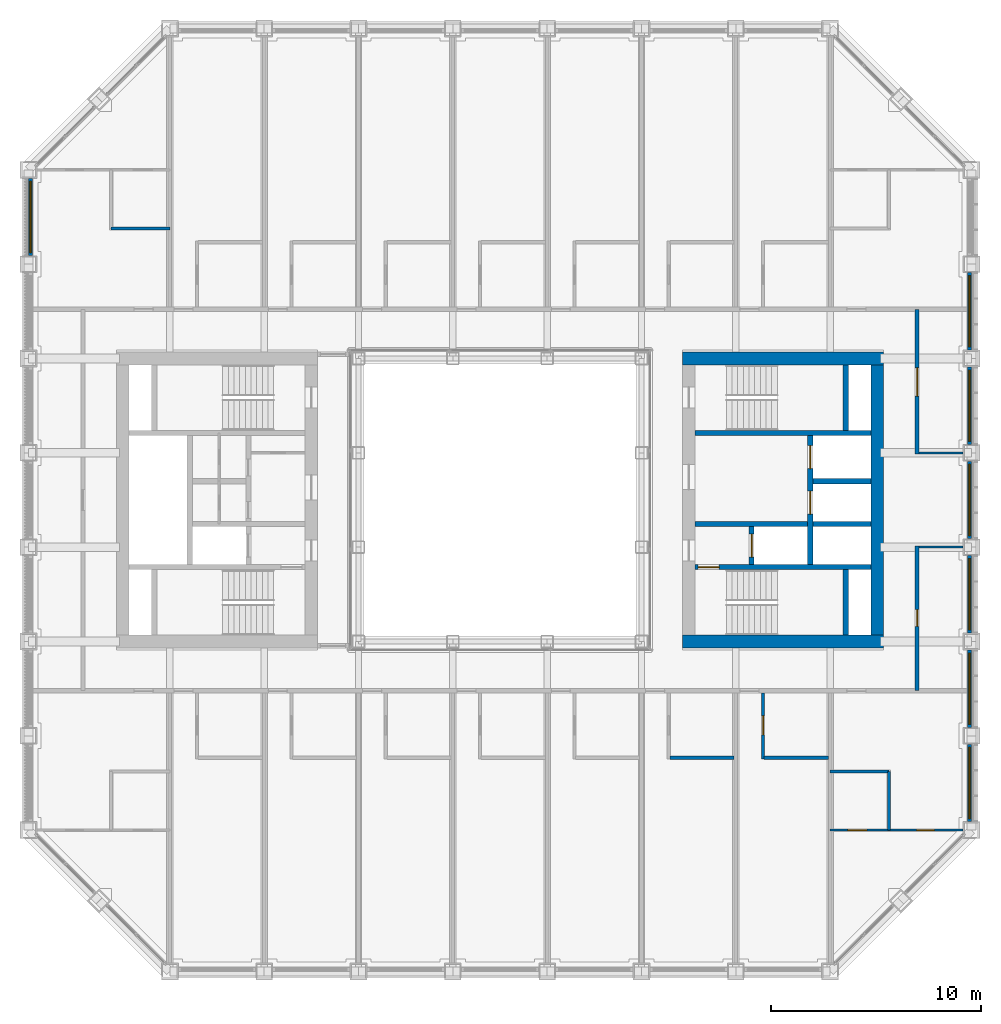
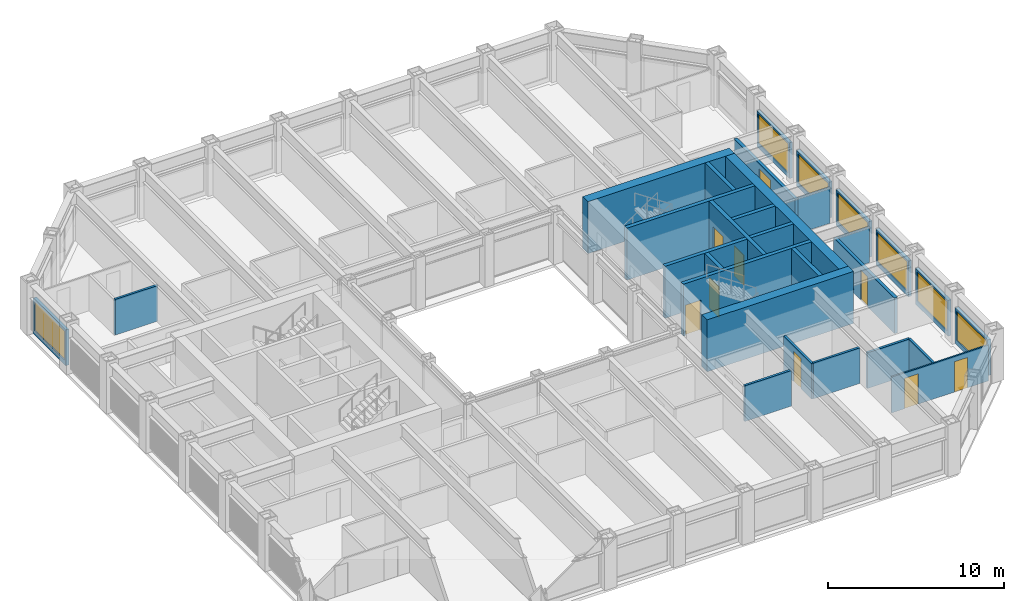
# One storey, part 13 of 18: 30 walls, 9 doors, 7 windows, 16 openings.
"""IFC4 building model written with IfcOpenShell, lengths in metres."""

from ifc_helpers import new_model, si_unit, direction, frame, frame_2d, origin, place, context, subcontext, project, spatial, rectangle, extrude, material, layer, layer_set, type_object, element, fill, save


model = new_model("IFC4")

# Units and contexts
model_context = context("Model", 3, precision=1e-05, world=origin(), true_north=direction((0.0, 1.0)))
body_context = subcontext(model_context, "Body", "Model", "MODEL_VIEW")
ifc_project = project(units=[si_unit("LENGTHUNIT", "METRE"), si_unit("AREAUNIT", "SQUARE_METRE"), si_unit("VOLUMEUNIT", "CUBIC_METRE"), si_unit("PLANEANGLEUNIT", "RADIAN"), si_unit("MASSUNIT", "GRAM", prefix="KILO")], contexts=[model_context])

# Site, building, storey
site_placement = place(None, origin())
site = spatial("IfcSite", under=ifc_project, at=site_placement, CompositionType="ELEMENT")
building_placement = place(site_placement, origin())
building = spatial("IfcBuilding", under=site, at=building_placement, Name="Msasa Ring Tower", CompositionType="ELEMENT")
storey_placement = place(building_placement, frame((0.0, 0.0, 125.60009765625)))
storey = spatial("IfcBuildingStorey", under=building, at=storey_placement, Name="L32", CompositionType="ELEMENT", Elevation=125.60009765625)

# Walls
ifc_material_1 = material(Name="Concrete C60/75", Category="concrete")
ifc_layer_1 = layer(ifc_material_1, 0.60009765625)
ifc_layer_set_1 = layer_set([ifc_layer_1], Name="CW2 CORE WALL 600")
wall_type_1 = type_object("IfcWallType", Name="CW2 CORE WALL 600", PredefinedType="SHEAR", material=ifc_layer_set_1)
for number, where, z_axis, x_axis, name in (
    (1, (8.699951171875, -6.75, 0.0), (0.0, 0.0, 1.0), (1.0, 0.0, 0.0), "E core wall S L32"),
    (2, (8.699951171875, 6.75, 0.0), (0.0, 0.0, 1.0), (1.0, 0.0, 0.0), "E core wall N L32"),
):
    element("IfcWall", number, at=place(storey_placement, frame(where, z_axis=z_axis, x_axis=x_axis)), inside=storey, type_object=wall_type_1, Name=name, PredefinedType="SHEAR", context=body_context, shape_type="SweptSolid", body=[
        extrude(rectangle(XDim=9.60009765625, YDim=0.60009765625, at=frame_2d((4.800048828125, 0.0))), origin(), (0.0, 0.0, 1.0), 3.599853515625),
    ])
wall_1_placement = place(storey_placement, frame((18.0, -6.449951171875, 0.0), z_axis=(0.0, 0.0, 1.0), x_axis=(0.0, 1.0, 0.0)))
element("IfcWall", 3, at=wall_1_placement, inside=storey, type_object=wall_type_1, Name="E core wall E L32", PredefinedType="SHEAR", context=body_context, shape_type="SweptSolid", body=[
    extrude(rectangle(XDim=12.89990234375, YDim=0.60009765625, at=frame_2d((6.449951171875, 0.0))), origin(), (0.0, 0.0, 1.0), 3.599853515625),
])

# Wall, opening, door
ifc_material_2 = material(Name="Concrete C60/75", Category="concrete")
ifc_layer_2 = layer(ifc_material_2, 0.25)
ifc_layer_set_2 = layer_set([ifc_layer_2], Name="CW4 CORE INNER WALL 250")
wall_type_2 = type_object("IfcWallType", Name="CW4 CORE INNER WALL 250", PredefinedType="SHEAR", material=ifc_layer_set_2)
wall_2_placement = place(storey_placement, frame((9.300048828125, -3.199951171875, 0.0), z_axis=(0.0, 0.0, 1.0), x_axis=(1.0, 0.0, 0.0)))
wall_2 = element("IfcWall", 4, at=wall_2_placement, inside=storey, type_object=wall_type_2, Name="E core wall STAIRA L32", PredefinedType="SHEAR", context=body_context, shape_type="SweptSolid", body=[
    extrude(rectangle(XDim=8.39990234375, YDim=0.25, at=frame_2d((4.199951171875, 0.0))), origin(), (0.0, 0.0, 1.0), 3.599853515625),
])
opening_1_placement = place(wall_2_placement, frame((0.14990234375, 0.0, 0.0)))
opening_1 = element("IfcOpeningElement", 5, at=opening_1_placement, cuts=wall_2, Name="Opening HA-036", PredefinedType="OPENING", context=body_context, shape_type="SweptSolid", body=[
    extrude(rectangle(XDim=1.0, YDim=2.10009765625, at=frame_2d((0.5, 1.050048828125))), frame((0.0, 0.135009765625, 0.0), z_axis=(0.0, -1.0, 0.0), x_axis=(1.0, 0.0, 0.0)), (0.0, 0.0, 1.0), 0.27001953125),
])
ifc_material_3 = material(Name="Timber door leaf in a steel frame", Category="steel")
door_type_1 = type_object("IfcDoorType", Name="D6 STAIR DOOR 1000x2100", OperationType="SINGLE_SWING_LEFT", PredefinedType="DOOR", material=ifc_material_3)
door_1_placement = place(opening_1_placement, origin())
door_1 = element("IfcDoor", 6, at=door_1_placement, inside=storey, type_object=door_type_1, Name="Door L32-ESTA", OperationType="SINGLE_SWING_LEFT", OverallHeight=2.10009765625, OverallWidth=1.0, PredefinedType="DOOR", context=body_context, shape_type="SweptSolid", body=[
    extrude(rectangle(XDim=1.0, YDim=2.10009765625, at=frame_2d((0.5, 1.050048828125))), frame((0.0, 0.02490234375, 0.0), z_axis=(0.0, -1.0, 0.0), x_axis=(1.0, 0.0, 0.0)), (0.0, 0.0, 1.0), 0.050048828125),
])
fill(opening_1, door_1)

# Walls
wall_3_placement = place(storey_placement, frame((9.300048828125, 3.199951171875, 0.0), z_axis=(0.0, 0.0, 1.0), x_axis=(1.0, 0.0, 0.0)))
element("IfcWall", 7, at=wall_3_placement, inside=storey, type_object=wall_type_2, Name="E core wall STAIRB L32", PredefinedType="SHEAR", context=body_context, shape_type="SweptSolid", body=[
    extrude(rectangle(XDim=8.39990234375, YDim=0.25, at=frame_2d((4.199951171875, 0.0))), origin(), (0.0, 0.0, 1.0), 3.599853515625),
])
for number, where, z_axis, x_axis, name in (
    (8, (16.5, -6.449951171875, 0.0), (0.0, 0.0, 1.0), (0.0, 1.0, 0.0), "E core wall RISERA L32"),
    (9, (16.5, 3.324951171875, 0.0), (0.0, 0.0, 1.0), (0.0, 1.0, 0.0), "E core wall RISERB L32"),
):
    element("IfcWall", number, at=place(storey_placement, frame(where, z_axis=z_axis, x_axis=x_axis)), inside=storey, type_object=wall_type_2, Name=name, PredefinedType="SHEAR", context=body_context, shape_type="SweptSolid", body=[
        extrude(rectangle(XDim=3.125, YDim=0.25, at=frame_2d((1.5625, 0.0))), origin(), (0.0, 0.0, 1.0), 3.599853515625),
    ])
wall_4_placement = place(storey_placement, frame((9.300048828125, -1.14990234375, 0.0), z_axis=(0.0, 0.0, 1.0), x_axis=(1.0, 0.0, 0.0)))
element("IfcWall", 10, at=wall_4_placement, inside=storey, type_object=wall_type_2, Name="E core wall FFL L32", PredefinedType="SHEAR", context=body_context, shape_type="SweptSolid", body=[
    extrude(rectangle(XDim=5.375, YDim=0.25, at=frame_2d((2.6875, 0.0))), origin(), (0.0, 0.0, 1.0), 3.599853515625),
])

# Wall, opening, door
wall_5_placement = place(storey_placement, frame((12.0, -3.074951171875, 0.0), z_axis=(0.0, 0.0, 1.0), x_axis=(0.0, 1.0, 0.0)))
wall_5 = element("IfcWall", 11, at=wall_5_placement, inside=storey, type_object=wall_type_2, Name="E core wall LOBBY L32", PredefinedType="SHEAR", context=body_context, shape_type="SweptSolid", body=[
    extrude(rectangle(XDim=1.800048828125, YDim=0.25, at=frame_2d((0.89990234375, 0.0))), origin(), (0.0, 0.0, 1.0), 3.599853515625),
])
opening_2_placement = place(wall_5_placement, frame((0.35009765625, 0.0, 0.0)))
opening_2 = element("IfcOpeningElement", 12, at=opening_2_placement, cuts=wall_5, Name="Opening LD1", PredefinedType="OPENING", context=body_context, shape_type="SweptSolid", body=[
    extrude(rectangle(XDim=1.10009765625, YDim=2.10009765625, at=frame_2d((0.550048828125, 1.050048828125))), frame((0.0, 0.135009765625, 0.0), z_axis=(0.0, -1.0, 0.0), x_axis=(1.0, 0.0, 0.0)), (0.0, 0.0, 1.0), 0.27001953125),
])
ifc_material_4 = material(Name="Stainless steel lift landing door", Category="steel")
door_type_2 = type_object("IfcDoorType", Name="LD1 LIFT LANDING DOOR 1100x2100", OperationType="DOUBLE_DOOR_SLIDING", PredefinedType="DOOR", material=ifc_material_4)
door_2_placement = place(opening_2_placement, origin())
door_2 = element("IfcDoor", 13, at=door_2_placement, inside=storey, type_object=door_type_2, Name="Lift landing door FL-E L32", OperationType="DOUBLE_DOOR_SLIDING", OverallHeight=2.10009765625, OverallWidth=1.10009765625, PredefinedType="DOOR", context=body_context, shape_type="SweptSolid", body=[
    extrude(rectangle(XDim=1.10009765625, YDim=2.10009765625, at=frame_2d((0.550048828125, 1.050048828125))), frame((0.0, 0.02490234375, 0.0), z_axis=(0.0, -1.0, 0.0), x_axis=(1.0, 0.0, 0.0)), (0.0, 0.0, 1.0), 0.050048828125),
])
fill(opening_2, door_2)

# Wall, openings, doors
wall_6_placement = place(storey_placement, frame((14.800048828125, -3.074951171875, 0.0), z_axis=(0.0, 0.0, 1.0), x_axis=(0.0, 1.0, 0.0)))
wall_6 = element("IfcWall", 14, at=wall_6_placement, inside=storey, type_object=wall_type_2, Name="E core wall SHAFT L32", PredefinedType="SHEAR", context=body_context, shape_type="SweptSolid", body=[
    extrude(rectangle(XDim=6.14990234375, YDim=0.25, at=frame_2d((3.074951171875, 0.0))), origin(), (0.0, 0.0, 1.0), 3.599853515625),
])
opening_3_placement = place(wall_6_placement, frame((2.39990234375, 0.0, 0.0)))
opening_3 = element("IfcOpeningElement", 15, at=opening_3_placement, cuts=wall_6, Name="Opening LD1", PredefinedType="OPENING", context=body_context, shape_type="SweptSolid", body=[
    extrude(rectangle(XDim=1.10009765625, YDim=2.10009765625, at=frame_2d((0.550048828125, 1.050048828125))), frame((0.0, 0.135009765625, 0.0), z_axis=(0.0, -1.0, 0.0), x_axis=(1.0, 0.0, 0.0)), (0.0, 0.0, 1.0), 0.27001953125),
])
opening_4_placement = place(wall_6_placement, frame((4.574951171875, 0.0, 0.0)))
opening_4 = element("IfcOpeningElement", 16, at=opening_4_placement, cuts=wall_6, Name="Opening LD1", PredefinedType="OPENING", context=body_context, shape_type="SweptSolid", body=[
    extrude(rectangle(XDim=1.10009765625, YDim=2.10009765625, at=frame_2d((0.550048828125, 1.050048828125))), frame((0.0, 0.135009765625, 0.0), z_axis=(0.0, -1.0, 0.0), x_axis=(1.0, 0.0, 0.0)), (0.0, 0.0, 1.0), 0.27001953125),
])
door_3_placement = place(opening_3_placement, origin())
door_3 = element("IfcDoor", 17, at=door_3_placement, inside=storey, type_object=door_type_2, Name="Lift landing door PL-H1 L32", OperationType="DOUBLE_DOOR_SLIDING", OverallHeight=2.10009765625, OverallWidth=1.10009765625, PredefinedType="DOOR", context=body_context, shape_type="SweptSolid", body=[
    extrude(rectangle(XDim=1.10009765625, YDim=2.10009765625, at=frame_2d((0.550048828125, 1.050048828125))), frame((0.0, 0.02490234375, 0.0), z_axis=(0.0, -1.0, 0.0), x_axis=(1.0, 0.0, 0.0)), (0.0, 0.0, 1.0), 0.050048828125),
])
fill(opening_3, door_3)
door_4_placement = place(opening_4_placement, origin())
door_4 = element("IfcDoor", 18, at=door_4_placement, inside=storey, type_object=door_type_2, Name="Lift landing door PL-H2 L32", OperationType="DOUBLE_DOOR_SLIDING", OverallHeight=2.10009765625, OverallWidth=1.10009765625, PredefinedType="DOOR", context=body_context, shape_type="SweptSolid", body=[
    extrude(rectangle(XDim=1.10009765625, YDim=2.10009765625, at=frame_2d((0.550048828125, 1.050048828125))), frame((0.0, 0.02490234375, 0.0), z_axis=(0.0, -1.0, 0.0), x_axis=(1.0, 0.0, 0.0)), (0.0, 0.0, 1.0), 0.050048828125),
])
fill(opening_4, door_4)

# Walls
for number, where, z_axis, x_axis, name in (
    (19, (14.925048828125, -1.14990234375, 0.0), (0.0, 0.0, 1.0), (1.0, 0.0, 0.0), "E core wall HSEP L32"),
    (20, (14.925048828125, 0.89990234375, 0.0), (0.0, 0.0, 1.0), (1.0, 0.0, 0.0), "E core wall HLIFT L32"),
):
    element("IfcWall", number, at=place(storey_placement, frame(where, z_axis=z_axis, x_axis=x_axis)), inside=storey, type_object=wall_type_2, Name=name, PredefinedType="SHEAR", context=body_context, shape_type="SweptSolid", body=[
        extrude(rectangle(XDim=2.77490234375, YDim=0.25, at=frame_2d((1.387451171875, 0.0))), origin(), (0.0, 0.0, 1.0), 3.599853515625),
    ])

# Wall, opening, window
ifc_material_5 = material(Name="Terracotta rainscreen on blockwork", Category="masonry")
ifc_layer_3 = layer(ifc_material_5, 0.199951171875)
ifc_layer_set_3 = layer_set([ifc_layer_3], Name="FW1 TERRACOTTA-LINED INFILL BAY WALL 200")
wall_type_3 = type_object("IfcWallType", Name="FW1 TERRACOTTA-LINED INFILL BAY WALL 200", PredefinedType="SOLIDWALL", material=ifc_layer_set_3)
wall_7_placement = place(storey_placement, frame((22.39990234375, -15.344970703125, 0.0), z_axis=(0.0, 0.0, 1.0), x_axis=(0.0, 1.0, 0.0)))
wall_7 = element("IfcWall", 21, at=wall_7_placement, inside=storey, type_object=wall_type_3, Name="Infill bay wall E L32 09", PredefinedType="SOLIDWALL", context=body_context, shape_type="SweptSolid", body=[
    extrude(rectangle(XDim=3.68994140625, YDim=0.199951171875, at=frame_2d((1.844970703125, 0.0))), origin(), (0.0, 0.0, 1.0), 2.47900390625),
])
opening_5_placement = place(wall_7_placement, frame((0.14501953125, 0.0, 0.300048828125)))
opening_5 = element("IfcOpeningElement", 22, at=opening_5_placement, cuts=wall_7, Name="Opening WN2", PredefinedType="OPENING", context=body_context, shape_type="SweptSolid", body=[
    extrude(rectangle(XDim=3.39990234375, YDim=2.029052734375, at=frame_2d((1.699951171875, 1.0146484375))), frame((0.0, 0.10986328125, 0.0), z_axis=(0.0, -1.0, 0.0), x_axis=(1.0, 0.0, 0.0)), (0.0, 0.0, 1.0), 0.219970703125),
])
ifc_material_6 = material(Name="Aluminium frame with clear glass", Category="aluminium")
window_type = type_object("IfcWindowType", Name="WN2 GUEST ROOM WINDOW 3400x2029", PartitioningType="SINGLE_PANEL", PredefinedType="WINDOW", material=ifc_material_6)
window_1_placement = place(opening_5_placement, origin())
window_1 = element("IfcWindow", 23, at=window_1_placement, inside=storey, type_object=window_type, Name="Window E L32 09", OverallHeight=2.029052734375, OverallWidth=3.39990234375, PartitioningType="SINGLE_PANEL", PredefinedType="WINDOW", context=body_context, shape_type="SweptSolid", body=[
    extrude(rectangle(XDim=3.39990234375, YDim=2.029052734375, at=frame_2d((1.699951171875, 1.0146484375))), frame((0.0, 0.030029296875, 0.0), z_axis=(0.0, -1.0, 0.0), x_axis=(1.0, 0.0, 0.0)), (0.0, 0.0, 1.0), 0.06005859375),
])
fill(opening_5, window_1)

wall_8_placement = place(storey_placement, frame((22.39990234375, -10.844970703125, 0.0), z_axis=(0.0, 0.0, 1.0), x_axis=(0.0, 1.0, 0.0)))
wall_8 = element("IfcWall", 24, at=wall_8_placement, inside=storey, type_object=wall_type_3, Name="Infill bay wall E L32 10", PredefinedType="SOLIDWALL", context=body_context, shape_type="SweptSolid", body=[
    extrude(rectangle(XDim=3.68994140625, YDim=0.199951171875, at=frame_2d((1.844970703125, 0.0))), origin(), (0.0, 0.0, 1.0), 2.47900390625),
])
opening_6_placement = place(wall_8_placement, frame((0.14501953125, 0.0, 0.300048828125)))
opening_6 = element("IfcOpeningElement", 25, at=opening_6_placement, cuts=wall_8, Name="Opening WN2", PredefinedType="OPENING", context=body_context, shape_type="SweptSolid", body=[
    extrude(rectangle(XDim=3.39990234375, YDim=2.029052734375, at=frame_2d((1.699951171875, 1.0146484375))), frame((0.0, 0.10986328125, 0.0), z_axis=(0.0, -1.0, 0.0), x_axis=(1.0, 0.0, 0.0)), (0.0, 0.0, 1.0), 0.219970703125),
])
window_2_placement = place(opening_6_placement, origin())
window_2 = element("IfcWindow", 26, at=window_2_placement, inside=storey, type_object=window_type, Name="Window E L32 10", OverallHeight=2.029052734375, OverallWidth=3.39990234375, PartitioningType="SINGLE_PANEL", PredefinedType="WINDOW", context=body_context, shape_type="SweptSolid", body=[
    extrude(rectangle(XDim=3.39990234375, YDim=2.029052734375, at=frame_2d((1.699951171875, 1.0146484375))), frame((0.0, 0.030029296875, 0.0), z_axis=(0.0, -1.0, 0.0), x_axis=(1.0, 0.0, 0.0)), (0.0, 0.0, 1.0), 0.06005859375),
])
fill(opening_6, window_2)

wall_9_placement = place(storey_placement, frame((22.39990234375, -6.344970703125, 0.0), z_axis=(0.0, 0.0, 1.0), x_axis=(0.0, 1.0, 0.0)))
wall_9 = element("IfcWall", 27, at=wall_9_placement, inside=storey, type_object=wall_type_3, Name="Infill bay wall E L32 11", PredefinedType="SOLIDWALL", context=body_context, shape_type="SweptSolid", body=[
    extrude(rectangle(XDim=3.68994140625, YDim=0.199951171875, at=frame_2d((1.844970703125, 0.0))), origin(), (0.0, 0.0, 1.0), 2.47900390625),
])
opening_7_placement = place(wall_9_placement, frame((0.14501953125, 0.0, 0.300048828125)))
opening_7 = element("IfcOpeningElement", 28, at=opening_7_placement, cuts=wall_9, Name="Opening WN2", PredefinedType="OPENING", context=body_context, shape_type="SweptSolid", body=[
    extrude(rectangle(XDim=3.39990234375, YDim=2.029052734375, at=frame_2d((1.699951171875, 1.0146484375))), frame((0.0, 0.10986328125, 0.0), z_axis=(0.0, -1.0, 0.0), x_axis=(1.0, 0.0, 0.0)), (0.0, 0.0, 1.0), 0.219970703125),
])
window_3_placement = place(opening_7_placement, origin())
window_3 = element("IfcWindow", 29, at=window_3_placement, inside=storey, type_object=window_type, Name="Window E L32 11", OverallHeight=2.029052734375, OverallWidth=3.39990234375, PartitioningType="SINGLE_PANEL", PredefinedType="WINDOW", context=body_context, shape_type="SweptSolid", body=[
    extrude(rectangle(XDim=3.39990234375, YDim=2.029052734375, at=frame_2d((1.699951171875, 1.0146484375))), frame((0.0, 0.030029296875, 0.0), z_axis=(0.0, -1.0, 0.0), x_axis=(1.0, 0.0, 0.0)), (0.0, 0.0, 1.0), 0.06005859375),
])
fill(opening_7, window_3)

wall_10_placement = place(storey_placement, frame((22.39990234375, -1.844970703125, 0.0), z_axis=(0.0, 0.0, 1.0), x_axis=(0.0, 1.0, 0.0)))
wall_10 = element("IfcWall", 30, at=wall_10_placement, inside=storey, type_object=wall_type_3, Name="Infill bay wall E L32 12", PredefinedType="SOLIDWALL", context=body_context, shape_type="SweptSolid", body=[
    extrude(rectangle(XDim=3.68994140625, YDim=0.199951171875, at=frame_2d((1.844970703125, 0.0))), origin(), (0.0, 0.0, 1.0), 2.47900390625),
])
opening_8_placement = place(wall_10_placement, frame((0.14501953125, 0.0, 0.300048828125)))
opening_8 = element("IfcOpeningElement", 31, at=opening_8_placement, cuts=wall_10, Name="Opening WN2", PredefinedType="OPENING", context=body_context, shape_type="SweptSolid", body=[
    extrude(rectangle(XDim=3.39990234375, YDim=2.029052734375, at=frame_2d((1.699951171875, 1.0146484375))), frame((0.0, 0.10986328125, 0.0), z_axis=(0.0, -1.0, 0.0), x_axis=(1.0, 0.0, 0.0)), (0.0, 0.0, 1.0), 0.219970703125),
])
window_4_placement = place(opening_8_placement, origin())
window_4 = element("IfcWindow", 32, at=window_4_placement, inside=storey, type_object=window_type, Name="Window E L32 12", OverallHeight=2.029052734375, OverallWidth=3.39990234375, PartitioningType="SINGLE_PANEL", PredefinedType="WINDOW", context=body_context, shape_type="SweptSolid", body=[
    extrude(rectangle(XDim=3.39990234375, YDim=2.029052734375, at=frame_2d((1.699951171875, 1.0146484375))), frame((0.0, 0.030029296875, 0.0), z_axis=(0.0, -1.0, 0.0), x_axis=(1.0, 0.0, 0.0)), (0.0, 0.0, 1.0), 0.06005859375),
])
fill(opening_8, window_4)

wall_11_placement = place(storey_placement, frame((22.39990234375, 2.655029296875, 0.0), z_axis=(0.0, 0.0, 1.0), x_axis=(0.0, 1.0, 0.0)))
wall_11 = element("IfcWall", 33, at=wall_11_placement, inside=storey, type_object=wall_type_3, Name="Infill bay wall E L32 13", PredefinedType="SOLIDWALL", context=body_context, shape_type="SweptSolid", body=[
    extrude(rectangle(XDim=3.68994140625, YDim=0.199951171875, at=frame_2d((1.844970703125, 0.0))), origin(), (0.0, 0.0, 1.0), 2.47900390625),
])
opening_9_placement = place(wall_11_placement, frame((0.14501953125, 0.0, 0.300048828125)))
opening_9 = element("IfcOpeningElement", 34, at=opening_9_placement, cuts=wall_11, Name="Opening WN2", PredefinedType="OPENING", context=body_context, shape_type="SweptSolid", body=[
    extrude(rectangle(XDim=3.39990234375, YDim=2.029052734375, at=frame_2d((1.699951171875, 1.0146484375))), frame((0.0, 0.10986328125, 0.0), z_axis=(0.0, -1.0, 0.0), x_axis=(1.0, 0.0, 0.0)), (0.0, 0.0, 1.0), 0.219970703125),
])
window_5_placement = place(opening_9_placement, origin())
window_5 = element("IfcWindow", 35, at=window_5_placement, inside=storey, type_object=window_type, Name="Window E L32 13", OverallHeight=2.029052734375, OverallWidth=3.39990234375, PartitioningType="SINGLE_PANEL", PredefinedType="WINDOW", context=body_context, shape_type="SweptSolid", body=[
    extrude(rectangle(XDim=3.39990234375, YDim=2.029052734375, at=frame_2d((1.699951171875, 1.0146484375))), frame((0.0, 0.030029296875, 0.0), z_axis=(0.0, -1.0, 0.0), x_axis=(1.0, 0.0, 0.0)), (0.0, 0.0, 1.0), 0.06005859375),
])
fill(opening_9, window_5)

wall_12_placement = place(storey_placement, frame((22.39990234375, 7.155029296875, 0.0), z_axis=(0.0, 0.0, 1.0), x_axis=(0.0, 1.0, 0.0)))
wall_12 = element("IfcWall", 36, at=wall_12_placement, inside=storey, type_object=wall_type_3, Name="Infill bay wall E L32 14", PredefinedType="SOLIDWALL", context=body_context, shape_type="SweptSolid", body=[
    extrude(rectangle(XDim=3.68994140625, YDim=0.199951171875, at=frame_2d((1.844970703125, 0.0))), origin(), (0.0, 0.0, 1.0), 2.47900390625),
])
opening_10_placement = place(wall_12_placement, frame((0.14501953125, 0.0, 0.300048828125)))
opening_10 = element("IfcOpeningElement", 37, at=opening_10_placement, cuts=wall_12, Name="Opening WN2", PredefinedType="OPENING", context=body_context, shape_type="SweptSolid", body=[
    extrude(rectangle(XDim=3.39990234375, YDim=2.029052734375, at=frame_2d((1.699951171875, 1.0146484375))), frame((0.0, 0.10986328125, 0.0), z_axis=(0.0, -1.0, 0.0), x_axis=(1.0, 0.0, 0.0)), (0.0, 0.0, 1.0), 0.219970703125),
])
window_6_placement = place(opening_10_placement, origin())
window_6 = element("IfcWindow", 38, at=window_6_placement, inside=storey, type_object=window_type, Name="Window E L32 14", OverallHeight=2.029052734375, OverallWidth=3.39990234375, PartitioningType="SINGLE_PANEL", PredefinedType="WINDOW", context=body_context, shape_type="SweptSolid", body=[
    extrude(rectangle(XDim=3.39990234375, YDim=2.029052734375, at=frame_2d((1.699951171875, 1.0146484375))), frame((0.0, 0.030029296875, 0.0), z_axis=(0.0, -1.0, 0.0), x_axis=(1.0, 0.0, 0.0)), (0.0, 0.0, 1.0), 0.06005859375),
])
fill(opening_10, window_6)

wall_13_placement = place(storey_placement, frame((-22.39990234375, 11.655029296875, 0.0), z_axis=(0.0, 0.0, 1.0), x_axis=(0.0, 1.0, 0.0)))
wall_13 = element("IfcWall", 39, at=wall_13_placement, inside=storey, type_object=wall_type_3, Name="Infill bay wall W L32 33", PredefinedType="SOLIDWALL", context=body_context, shape_type="SweptSolid", body=[
    extrude(rectangle(XDim=3.68994140625, YDim=0.199951171875, at=frame_2d((1.844970703125, 0.0))), origin(), (0.0, 0.0, 1.0), 2.47900390625),
])
opening_11_placement = place(wall_13_placement, frame((0.14501953125, 0.0, 0.300048828125)))
opening_11 = element("IfcOpeningElement", 40, at=opening_11_placement, cuts=wall_13, Name="Opening WN2", PredefinedType="OPENING", context=body_context, shape_type="SweptSolid", body=[
    extrude(rectangle(XDim=3.39990234375, YDim=2.029052734375, at=frame_2d((1.699951171875, 1.0146484375))), frame((0.0, 0.10986328125, 0.0), z_axis=(0.0, -1.0, 0.0), x_axis=(1.0, 0.0, 0.0)), (0.0, 0.0, 1.0), 0.219970703125),
])
window_7_placement = place(opening_11_placement, origin())
window_7 = element("IfcWindow", 41, at=window_7_placement, inside=storey, type_object=window_type, Name="Window W L32 33", OverallHeight=2.029052734375, OverallWidth=3.39990234375, PartitioningType="SINGLE_PANEL", PredefinedType="WINDOW", context=body_context, shape_type="SweptSolid", body=[
    extrude(rectangle(XDim=3.39990234375, YDim=2.029052734375, at=frame_2d((1.699951171875, 1.0146484375))), frame((0.0, 0.030029296875, 0.0), z_axis=(0.0, -1.0, 0.0), x_axis=(1.0, 0.0, 0.0)), (0.0, 0.0, 1.0), 0.06005859375),
])
fill(opening_11, window_7)

# Wall, opening, door
ifc_material_7 = material(Name="Concrete blockwork", Category="masonry")
ifc_layer_4 = layer(ifc_material_7, 0.199951171875)
ifc_layer_set_4 = layer_set([ifc_layer_4], Name="PT1 CORRIDOR WALL 200")
wall_type_4 = type_object("IfcWallType", Name="PT1 CORRIDOR WALL 200", PredefinedType="PARTITIONING", material=ifc_layer_set_4)
wall_14_placement = place(storey_placement, frame((19.89990234375, -9.10009765625, 0.0), z_axis=(0.0, 0.0, 1.0), x_axis=(0.0, 1.0, 0.0)))
wall_14 = element("IfcWall", 42, at=wall_14_placement, inside=storey, type_object=wall_type_4, Name="Corridor wall L32-STRES", PredefinedType="PARTITIONING", context=body_context, shape_type="SweptSolid", body=[
    extrude(rectangle(XDim=6.900146484375, YDim=0.199951171875, at=frame_2d((3.4501953125, 0.0))), origin(), (0.0, 0.0, 1.0), 2.473388671875),
])
opening_12_placement = place(wall_14_placement, frame((3.074951171875, 0.0, 0.0)))
opening_12 = element("IfcOpeningElement", 43, at=opening_12_placement, cuts=wall_14, Name="Opening HA-037", PredefinedType="OPENING", context=body_context, shape_type="SweptSolid", body=[
    extrude(rectangle(XDim=0.800048828125, YDim=2.10009765625, at=frame_2d((0.39990234375, 1.050048828125))), frame((0.0, 0.10986328125, 0.0), z_axis=(0.0, -1.0, 0.0), x_axis=(1.0, 0.0, 0.0)), (0.0, 0.0, 1.0), 0.219970703125),
])
ifc_material_8 = material(Name="Timber door leaf in a steel frame", Category="steel")
door_type_3 = type_object("IfcDoorType", Name="D11 NARROW STORE DOOR 800x2100", OperationType="SINGLE_SWING_LEFT", PredefinedType="DOOR", material=ifc_material_8)
door_5_placement = place(opening_12_placement, origin())
door_5 = element("IfcDoor", 44, at=door_5_placement, inside=storey, type_object=door_type_3, Name="Door L32-CLE", OperationType="SINGLE_SWING_LEFT", OverallHeight=2.10009765625, OverallWidth=0.800048828125, PredefinedType="DOOR", context=body_context, shape_type="SweptSolid", body=[
    extrude(rectangle(XDim=0.800048828125, YDim=2.10009765625, at=frame_2d((0.39990234375, 1.050048828125))), frame((0.0, 0.02490234375, 0.0), z_axis=(0.0, -1.0, 0.0), x_axis=(1.0, 0.0, 0.0)), (0.0, 0.0, 1.0), 0.050048828125),
])
fill(opening_12, door_5)

wall_15_placement = place(storey_placement, frame((19.89990234375, 2.199951171875, 0.0), z_axis=(0.0, 0.0, 1.0), x_axis=(0.0, 1.0, 0.0)))
wall_15 = element("IfcWall", 45, at=wall_15_placement, inside=storey, type_object=wall_type_4, Name="Corridor wall L32-STREN", PredefinedType="PARTITIONING", context=body_context, shape_type="SweptSolid", body=[
    extrude(rectangle(XDim=6.900146484375, YDim=0.199951171875, at=frame_2d((3.4501953125, 0.0))), origin(), (0.0, 0.0, 1.0), 2.473388671875),
])
opening_13_placement = place(wall_15_placement, frame((2.75, 0.0, 0.0)))
opening_13 = element("IfcOpeningElement", 46, at=opening_13_placement, cuts=wall_15, Name="Opening HA-022", PredefinedType="OPENING", context=body_context, shape_type="SweptSolid", body=[
    extrude(rectangle(XDim=1.35009765625, YDim=2.10009765625, at=frame_2d((0.675048828125, 1.050048828125))), frame((0.0, 0.10986328125, 0.0), z_axis=(0.0, -1.0, 0.0), x_axis=(1.0, 0.0, 0.0)), (0.0, 0.0, 1.0), 0.219970703125),
])
ifc_material_9 = material(Name="Timber door leaf in a steel frame", Category="steel")
door_type_4 = type_object("IfcDoorType", Name="D23 HOUSEKEEPING UNEQUAL PAIR OF DOORS 1350x2100", OperationType="SINGLE_SWING_LEFT", PredefinedType="DOOR", material=ifc_material_9)
door_6_placement = place(opening_13_placement, origin())
door_6 = element("IfcDoor", 47, at=door_6_placement, inside=storey, type_object=door_type_4, Name="Door L32-HKE", OperationType="SINGLE_SWING_LEFT", OverallHeight=2.10009765625, OverallWidth=1.35009765625, PredefinedType="DOOR", context=body_context, shape_type="SweptSolid", body=[
    extrude(rectangle(XDim=1.35009765625, YDim=2.10009765625, at=frame_2d((0.675048828125, 1.050048828125))), frame((0.0, 0.02490234375, 0.0), z_axis=(0.0, -1.0, 0.0), x_axis=(1.0, 0.0, 0.0)), (0.0, 0.0, 1.0), 0.050048828125),
])
fill(opening_13, door_6)

# Wall, openings, doors
ifc_material_10 = material(Name="Gypsum board on steel studs", Category="steel")
ifc_layer_5 = layer(ifc_material_10, 0.10009765625)
ifc_layer_set_5 = layer_set([ifc_layer_5], Name="PT2 STUD PARTITION 100")
wall_type_5 = type_object("IfcWallType", Name="PT2 STUD PARTITION 100", PredefinedType="PARTITIONING", material=ifc_layer_set_5)
wall_16_placement = place(storey_placement, frame((15.75, -15.75, 0.0), z_axis=(0.0, 0.0, 1.0), x_axis=(1.0, 0.0, 0.0)))
wall_16 = element("IfcWall", 48, at=wall_16_placement, inside=storey, type_object=wall_type_5, Name="Partition L32-CSSEX", PredefinedType="PARTITIONING", context=body_context, shape_type="SweptSolid", body=[
    extrude(rectangle(XDim=6.35009765625, YDim=0.10009765625, at=frame_2d((3.175048828125, 0.0))), origin(), (0.0, 0.0, 1.0), 2.473388671875),
])
opening_14_placement = place(wall_16_placement, frame((4.125, 0.0, 0.0)))
opening_14 = element("IfcOpeningElement", 49, at=opening_14_placement, cuts=wall_16, Name="Opening HA-058", PredefinedType="OPENING", context=body_context, shape_type="SweptSolid", body=[
    extrude(rectangle(XDim=0.85009765625, YDim=2.10009765625, at=frame_2d((0.425048828125, 1.050048828125))), frame((0.0, 0.06005859375, 0.0), z_axis=(0.0, -1.0, 0.0), x_axis=(1.0, 0.0, 0.0)), (0.0, 0.0, 1.0), 0.1201171875),
])
opening_15_placement = place(wall_16_placement, frame((0.85009765625, 0.0, 0.0)))
opening_15 = element("IfcOpeningElement", 50, at=opening_15_placement, cuts=wall_16, Name="Opening HA-057", PredefinedType="OPENING", context=body_context, shape_type="SweptSolid", body=[
    extrude(rectangle(XDim=0.89990234375, YDim=2.10009765625, at=frame_2d((0.449951171875, 1.050048828125))), frame((0.0, 0.06005859375, 0.0), z_axis=(0.0, -1.0, 0.0), x_axis=(1.0, 0.0, 0.0)), (0.0, 0.0, 1.0), 0.1201171875),
])
ifc_material_11 = material(Name="Timber door leaf in a steel frame", Category="steel")
door_type_5 = type_object("IfcDoorType", Name="D14 BEDROOM DOOR 850x2100", OperationType="SINGLE_SWING_LEFT", PredefinedType="DOOR", material=ifc_material_11)
door_7_placement = place(opening_14_placement, origin())
door_7 = element("IfcDoor", 51, at=door_7_placement, inside=storey, type_object=door_type_5, Name="Door L32-CSSER1", OperationType="SINGLE_SWING_RIGHT", OverallHeight=2.10009765625, OverallWidth=0.85009765625, PredefinedType="DOOR", context=body_context, shape_type="SweptSolid", body=[
    extrude(rectangle(XDim=0.85009765625, YDim=2.10009765625, at=frame_2d((0.425048828125, 1.050048828125))), frame((0.0, 0.02490234375, 0.0), z_axis=(0.0, -1.0, 0.0), x_axis=(1.0, 0.0, 0.0)), (0.0, 0.0, 1.0), 0.050048828125),
])
fill(opening_14, door_7)
ifc_material_12 = material(Name="Timber door leaf in a steel frame", Category="steel")
door_type_6 = type_object("IfcDoorType", Name="D3 BATHROOM DOOR 900x2100", OperationType="SINGLE_SWING_LEFT", PredefinedType="DOOR", material=ifc_material_12)
door_8_placement = place(opening_15_placement, origin())
door_8 = element("IfcDoor", 52, at=door_8_placement, inside=storey, type_object=door_type_6, Name="Door L32-CSSEB1", OperationType="SINGLE_SWING_LEFT", OverallHeight=2.10009765625, OverallWidth=0.89990234375, PredefinedType="DOOR", context=body_context, shape_type="SweptSolid", body=[
    extrude(rectangle(XDim=0.89990234375, YDim=2.10009765625, at=frame_2d((0.449951171875, 1.050048828125))), frame((0.0, 0.02490234375, 0.0), z_axis=(0.0, -1.0, 0.0), x_axis=(1.0, 0.0, 0.0)), (0.0, 0.0, 1.0), 0.050048828125),
])
fill(opening_15, door_8)

# Walls
for number, where, z_axis, x_axis, name in (
    (53, (20.0, 2.25, 0.0), (0.0, 0.0, 1.0), (1.0, 0.0, 0.0), "Partition L32-ALEN"),
    (54, (20.0, -2.25, 0.0), (0.0, 0.0, 1.0), (1.0, 0.0, 0.0), "Partition L32-ALES"),
):
    element("IfcWall", number, at=place(storey_placement, frame(where, z_axis=z_axis, x_axis=x_axis)), inside=storey, type_object=wall_type_5, Name=name, PredefinedType="PARTITIONING", context=body_context, shape_type="SweptSolid", body=[
        extrude(rectangle(XDim=2.10009765625, YDim=0.10009765625, at=frame_2d((1.050048828125, 0.0))), origin(), (0.0, 0.0, 1.0), 2.473388671875),
    ])
ifc_material_13 = material(Name="Moisture-resistant board on steel studs with a concealed cistern and pipe void, tiled", Category="steel")
ifc_layer_6 = layer(ifc_material_13, 0.14990234375)
ifc_layer_set_6 = layer_set([ifc_layer_6], Name="PT4 BATHROOM WET WALL 150")
wall_type_6 = type_object("IfcWallType", Name="PT4 BATHROOM WET WALL 150", PredefinedType="PARTITIONING", material=ifc_layer_set_6)
wall_17_placement = place(storey_placement, frame((-18.550048828125, 12.949951171875, 0.0), z_axis=(0.0, 0.0, 1.0), x_axis=(1.0, 0.0, 0.0)))
element("IfcWall", 55, at=wall_17_placement, inside=storey, type_object=wall_type_6, Name="Partition L32-CSNWBY", PredefinedType="PARTITIONING", context=body_context, shape_type="SweptSolid", body=[
    extrude(rectangle(XDim=2.800048828125, YDim=0.14990234375, at=frame_2d((1.39990234375, 0.0))), origin(), (0.0, 0.0, 1.0), 2.473388671875),
])
wall_18_placement = place(storey_placement, frame((8.10009765625, -12.300048828125, 0.0), z_axis=(0.0, 0.0, 1.0), x_axis=(1.0, 0.0, 0.0)))
element("IfcWall", 56, at=wall_18_placement, inside=storey, type_object=wall_type_6, Name="Partition L32-GS05BY", PredefinedType="PARTITIONING", context=body_context, shape_type="SweptSolid", body=[
    extrude(rectangle(XDim=3.0625, YDim=0.14990234375, at=frame_2d((1.53125, 0.0))), origin(), (0.0, 0.0, 1.0), 2.473388671875),
])

# Wall, opening, door
wall_19_placement = place(storey_placement, frame((12.550048828125, -12.35009765625, 0.0), z_axis=(0.0, 0.0, 1.0), x_axis=(0.0, 1.0, 0.0)))
wall_19 = element("IfcWall", 57, at=wall_19_placement, inside=storey, type_object=wall_type_6, Name="Partition L32-GS06BX", PredefinedType="PARTITIONING", context=body_context, shape_type="SweptSolid", body=[
    extrude(rectangle(XDim=3.150146484375, YDim=0.14990234375, at=frame_2d((1.5751953125, 0.0))), origin(), (0.0, 0.0, 1.0), 2.473388671875),
])
opening_16_placement = place(wall_19_placement, frame((1.14990234375, 0.0, 0.0)))
opening_16 = element("IfcOpeningElement", 58, at=opening_16_placement, cuts=wall_19, Name="Opening HA-054", PredefinedType="OPENING", context=body_context, shape_type="SweptSolid", body=[
    extrude(rectangle(XDim=0.89990234375, YDim=2.10009765625, at=frame_2d((0.449951171875, 1.050048828125))), frame((0.0, 0.0849609375, 0.0), z_axis=(0.0, -1.0, 0.0), x_axis=(1.0, 0.0, 0.0)), (0.0, 0.0, 1.0), 0.169921875),
])
door_9_placement = place(opening_16_placement, origin())
door_9 = element("IfcDoor", 59, at=door_9_placement, inside=storey, type_object=door_type_6, Name="Door L32-GS06B", OperationType="SINGLE_SWING_LEFT", OverallHeight=2.10009765625, OverallWidth=0.89990234375, PredefinedType="DOOR", context=body_context, shape_type="SweptSolid", body=[
    extrude(rectangle(XDim=0.89990234375, YDim=2.10009765625, at=frame_2d((0.449951171875, 1.050048828125))), frame((0.0, 0.02490234375, 0.0), z_axis=(0.0, -1.0, 0.0), x_axis=(1.0, 0.0, 0.0)), (0.0, 0.0, 1.0), 0.050048828125),
])
fill(opening_16, door_9)

# Walls
wall_20_placement = place(storey_placement, frame((12.60009765625, -12.300048828125, 0.0), z_axis=(0.0, 0.0, 1.0), x_axis=(1.0, 0.0, 0.0)))
element("IfcWall", 60, at=wall_20_placement, inside=storey, type_object=wall_type_6, Name="Partition L32-GS06BY", PredefinedType="PARTITIONING", context=body_context, shape_type="SweptSolid", body=[
    extrude(rectangle(XDim=3.0625, YDim=0.14990234375, at=frame_2d((1.53125, 0.0))), origin(), (0.0, 0.0, 1.0), 2.473388671875),
])
for number, where, z_axis, x_axis, name in (
    (61, (18.550048828125, -15.75, 0.0), (0.0, 0.0, 1.0), (0.0, 1.0, 0.0), "Partition L32-CSSEBX"),
    (62, (15.75, -12.949951171875, 0.0), (0.0, 0.0, 1.0), (1.0, 0.0, 0.0), "Partition L32-CSSEBY"),
):
    element("IfcWall", number, at=place(storey_placement, frame(where, z_axis=z_axis, x_axis=x_axis)), inside=storey, type_object=wall_type_6, Name=name, PredefinedType="PARTITIONING", context=body_context, shape_type="SweptSolid", body=[
        extrude(rectangle(XDim=2.800048828125, YDim=0.14990234375, at=frame_2d((1.39990234375, 0.0))), origin(), (0.0, 0.0, 1.0), 2.473388671875),
    ])

save(model, "model.ifc")
